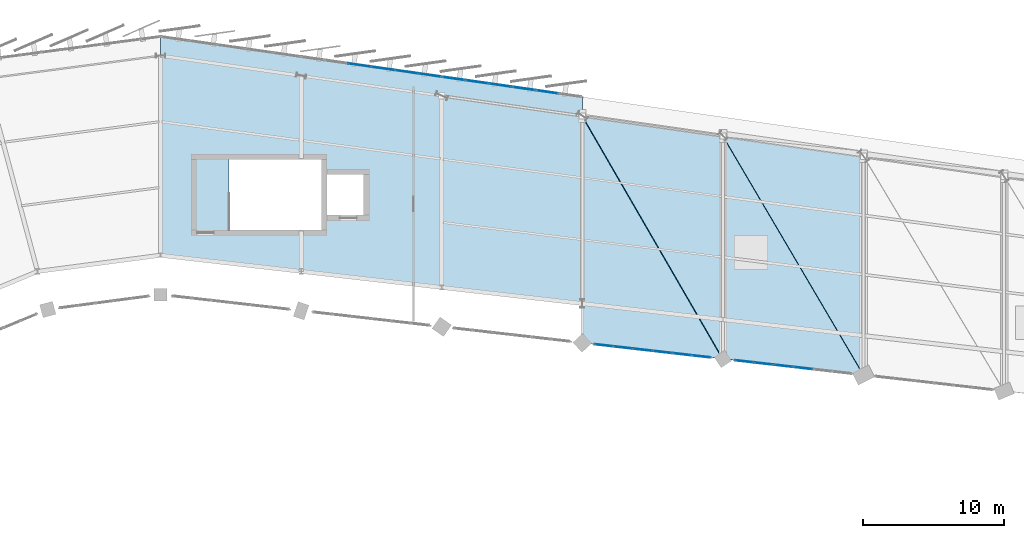
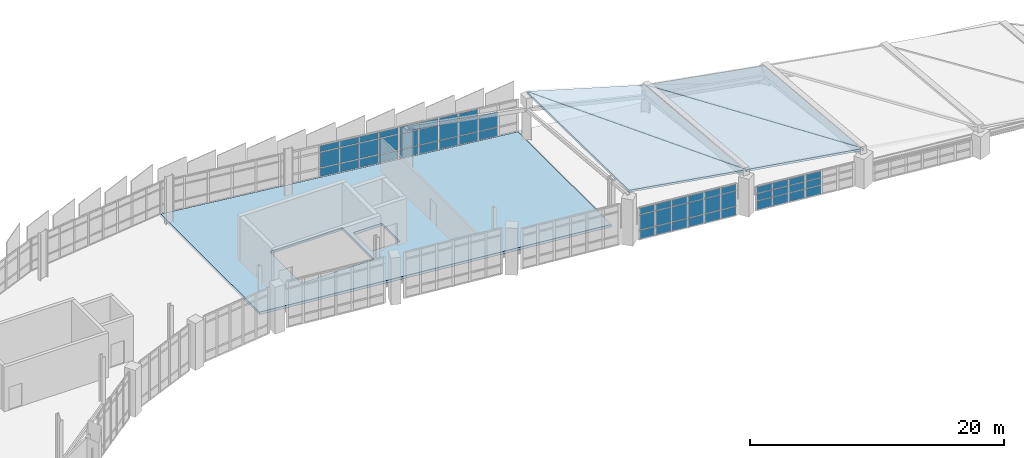
# One storey, part 58 of 67: 56 plates, 5 slabs, 4 elements without a shape of their own.
"""IFC4 building model written with IfcOpenShell, lengths in metres."""

from ifc_helpers import new_model, si_unit, direction, frame, origin, origin_2d, place, context, subcontext, project, spatial, polyline, rectangle, outline, extrude, material, layer, layer_set, type_object, element, aggregate, save


model = new_model("IFC4")

# Units and contexts
model_context = context("Model", 3, precision=1e-05, world=origin(), true_north=direction((0.0, 1.0)))
body_context = subcontext(model_context, "Body", "Model", "MODEL_VIEW")
ifc_project = project(units=[si_unit("LENGTHUNIT", "METRE"), si_unit("AREAUNIT", "SQUARE_METRE"), si_unit("VOLUMEUNIT", "CUBIC_METRE"), si_unit("PLANEANGLEUNIT", "RADIAN"), si_unit("MASSUNIT", "GRAM", prefix="KILO")], contexts=[model_context])

# Site, building, storey
site_placement = place(None, origin())
site = spatial("IfcSite", under=ifc_project, at=site_placement, CompositionType="ELEMENT")
building_placement = place(site_placement, origin())
building = spatial("IfcBuilding", under=site, at=building_placement, Name="Sohan Crest Arena", CompositionType="ELEMENT")
storey_placement = place(building_placement, frame((0.0, 0.0, 22.5)))
storey = spatial("IfcBuildingStorey", under=building, at=storey_placement, Name="L05", CompositionType="ELEMENT", Elevation=22.5)

# Curtain wall, plates
ifc_material_1 = material(Name="Thermally broken anodised aluminium", Category="aluminium")
ifc_layer_1 = layer(ifc_material_1, 0.219970703125, Name="Thermally broken anodised aluminium")
ifc_layer_set_1 = layer_set([ifc_layer_1], Name="Thermally broken anodised aluminium")
curtain_wall_type_1 = type_object("IfcCurtainWallType", Name="ARC-CW03", PredefinedType="NOTDEFINED", material=ifc_layer_set_1)
curtain_wall_1_placement = place(storey_placement, origin())
curtain_wall_1 = element("IfcCurtainWall", 1, at=curtain_wall_1_placement, inside=storey, type_object=curtain_wall_type_1, Name="Unitised curtain wall CW-162", PredefinedType="NOTDEFINED")
ifc_material_2 = material(Name="Low-E double-glazed insulated glass", Category="glass")
ifc_layer_2 = layer(ifc_material_2, 0.028076171875, Name="Low-E double-glazed insulated glass")
ifc_layer_set_2 = layer_set([ifc_layer_2], Name="Low-E double-glazed insulated glass")
plate_type_1 = type_object("IfcPlateType", Name="ARC-CNP01", PredefinedType="CURTAIN_PANEL", material=ifc_layer_set_2)
plate_1_placement = place(storey_placement, frame((117.15185546875, 124.614013671875, 0.070068359375), z_axis=(0.0, 0.0, 1.0), x_axis=(-0.989957411768, 0.141365918403, 0.0)))
plate_1 = element("IfcPlate", 2, at=plate_1_placement, type_object=plate_type_1, Name="CW-162 panel 1.1", PredefinedType="CURTAIN_PANEL", context=body_context, shape_type="SweptSolid", body=[
    extrude(rectangle(XDim=1.593505859375, YDim=0.028076171875, at=origin_2d()), origin(), (0.0, 0.0, 1.0), 0.794921875),
])
plate_2_placement = place(storey_placement, frame((117.15185546875, 124.614013671875, 0.93505859375), z_axis=(0.0, 0.0, 1.0), x_axis=(-0.989957411768, 0.141365918403, 0.0)))
plate_2 = element("IfcPlate", 3, at=plate_2_placement, type_object=plate_type_1, Name="CW-162 panel 1.2", PredefinedType="CURTAIN_PANEL", context=body_context, shape_type="SweptSolid", body=[
    extrude(rectangle(XDim=1.593505859375, YDim=0.028076171875, at=origin_2d()), origin(), (0.0, 0.0, 1.0), 1.449951171875),
])
plate_3_placement = place(storey_placement, frame((117.15185546875, 124.614013671875, 2.455078125), z_axis=(0.0, 0.0, 1.0), x_axis=(-0.989957411768, 0.141365918403, 0.0)))
plate_3 = element("IfcPlate", 4, at=plate_3_placement, type_object=plate_type_1, Name="CW-162 panel 1.3", PredefinedType="CURTAIN_PANEL", context=body_context, shape_type="SweptSolid", body=[
    extrude(rectangle(XDim=1.593505859375, YDim=0.028076171875, at=origin_2d()), origin(), (0.0, 0.0, 1.0), 0.594970703125),
])
plate_4_placement = place(storey_placement, frame((115.5, 124.85009765625, 0.070068359375), z_axis=(0.0, 0.0, 1.0), x_axis=(-0.989957411768, 0.141365918403, 0.0)))
plate_4 = element("IfcPlate", 5, at=plate_4_placement, type_object=plate_type_1, Name="CW-162 panel 2.1", PredefinedType="CURTAIN_PANEL", context=body_context, shape_type="SweptSolid", body=[
    extrude(rectangle(XDim=1.62353515625, YDim=0.028076171875, at=origin_2d()), origin(), (0.0, 0.0, 1.0), 0.794921875),
])
plate_5_placement = place(storey_placement, frame((115.5, 124.85009765625, 0.93505859375), z_axis=(0.0, 0.0, 1.0), x_axis=(-0.989957411768, 0.141365918403, 0.0)))
plate_5 = element("IfcPlate", 6, at=plate_5_placement, type_object=plate_type_1, Name="CW-162 panel 2.2", PredefinedType="CURTAIN_PANEL", context=body_context, shape_type="SweptSolid", body=[
    extrude(rectangle(XDim=1.62353515625, YDim=0.028076171875, at=origin_2d()), origin(), (0.0, 0.0, 1.0), 1.449951171875),
])
plate_6_placement = place(storey_placement, frame((115.5, 124.85009765625, 2.455078125), z_axis=(0.0, 0.0, 1.0), x_axis=(-0.989957411768, 0.141365918403, 0.0)))
plate_6 = element("IfcPlate", 7, at=plate_6_placement, type_object=plate_type_1, Name="CW-162 panel 2.3", PredefinedType="CURTAIN_PANEL", context=body_context, shape_type="SweptSolid", body=[
    extrude(rectangle(XDim=1.62353515625, YDim=0.028076171875, at=origin_2d()), origin(), (0.0, 0.0, 1.0), 0.594970703125),
])
plate_7_placement = place(storey_placement, frame((113.833251953125, 125.087890625, 0.070068359375), z_axis=(0.0, 0.0, 1.0), x_axis=(-0.989957411768, 0.141365918403, 0.0)))
plate_7 = element("IfcPlate", 8, at=plate_7_placement, type_object=plate_type_1, Name="CW-162 panel 3.1", PredefinedType="CURTAIN_PANEL", context=body_context, shape_type="SweptSolid", body=[
    extrude(rectangle(XDim=1.62353515625, YDim=0.028076171875, at=origin_2d()), origin(), (0.0, 0.0, 1.0), 0.794921875),
])
plate_8_placement = place(storey_placement, frame((113.833251953125, 125.087890625, 0.93505859375), z_axis=(0.0, 0.0, 1.0), x_axis=(-0.989957411768, 0.141365918403, 0.0)))
plate_8 = element("IfcPlate", 9, at=plate_8_placement, type_object=plate_type_1, Name="CW-162 panel 3.2", PredefinedType="CURTAIN_PANEL", context=body_context, shape_type="SweptSolid", body=[
    extrude(rectangle(XDim=1.62353515625, YDim=0.028076171875, at=origin_2d()), origin(), (0.0, 0.0, 1.0), 1.449951171875),
])
plate_9_placement = place(storey_placement, frame((113.833251953125, 125.087890625, 2.455078125), z_axis=(0.0, 0.0, 1.0), x_axis=(-0.989957411768, 0.141365918403, 0.0)))
plate_9 = element("IfcPlate", 10, at=plate_9_placement, type_object=plate_type_1, Name="CW-162 panel 3.3", PredefinedType="CURTAIN_PANEL", context=body_context, shape_type="SweptSolid", body=[
    extrude(rectangle(XDim=1.62353515625, YDim=0.028076171875, at=origin_2d()), origin(), (0.0, 0.0, 1.0), 0.594970703125),
])
plate_10_placement = place(storey_placement, frame((112.166748046875, 125.325927734375, 0.070068359375), z_axis=(0.0, 0.0, 1.0), x_axis=(-0.989957411768, 0.141365918403, 0.0)))
plate_10 = element("IfcPlate", 11, at=plate_10_placement, type_object=plate_type_1, Name="CW-162 panel 4.1", PredefinedType="CURTAIN_PANEL", context=body_context, shape_type="SweptSolid", body=[
    extrude(rectangle(XDim=1.62353515625, YDim=0.028076171875, at=origin_2d()), origin(), (0.0, 0.0, 1.0), 0.794921875),
])
plate_11_placement = place(storey_placement, frame((112.166748046875, 125.325927734375, 0.93505859375), z_axis=(0.0, 0.0, 1.0), x_axis=(-0.989957411768, 0.141365918403, 0.0)))
plate_11 = element("IfcPlate", 12, at=plate_11_placement, type_object=plate_type_1, Name="CW-162 panel 4.2", PredefinedType="CURTAIN_PANEL", context=body_context, shape_type="SweptSolid", body=[
    extrude(rectangle(XDim=1.62353515625, YDim=0.028076171875, at=origin_2d()), origin(), (0.0, 0.0, 1.0), 1.449951171875),
])
plate_12_placement = place(storey_placement, frame((112.166748046875, 125.325927734375, 2.455078125), z_axis=(0.0, 0.0, 1.0), x_axis=(-0.989957411768, 0.141365918403, 0.0)))
plate_12 = element("IfcPlate", 13, at=plate_12_placement, type_object=plate_type_1, Name="CW-162 panel 4.3", PredefinedType="CURTAIN_PANEL", context=body_context, shape_type="SweptSolid", body=[
    extrude(rectangle(XDim=1.62353515625, YDim=0.028076171875, at=origin_2d()), origin(), (0.0, 0.0, 1.0), 0.594970703125),
])
aggregate(curtain_wall_1, [plate_1, plate_2, plate_3, plate_4, plate_5, plate_6, plate_7, plate_8, plate_9, plate_10, plate_11, plate_12])

ifc_layer_3 = layer(ifc_material_1, 0.18994140625, Name="Thermally broken anodised aluminium")
ifc_layer_set_3 = layer_set([ifc_layer_3], Name="Thermally broken anodised aluminium")
curtain_wall_type_2 = type_object("IfcCurtainWallType", Name="ARC-CW05", PredefinedType="NOTDEFINED", material=ifc_layer_set_3)
curtain_wall_2_placement = place(storey_placement, origin())
curtain_wall_2 = element("IfcCurtainWall", 14, at=curtain_wall_2_placement, inside=storey, type_object=curtain_wall_type_2, Name="Unitised curtain wall CW-196", PredefinedType="NOTDEFINED")
ifc_material_3 = material(Name="Ceramic-fritted solar-control insulated glass", Category="glass")
ifc_layer_4 = layer(ifc_material_3, 0.035888671875, Name="Ceramic-fritted solar-control insulated glass")
ifc_layer_set_4 = layer_set([ifc_layer_4], Name="Ceramic-fritted solar-control insulated glass")
plate_type_2 = type_object("IfcPlateType", Name="ARC-CNP03", PredefinedType="CURTAIN_PANEL", material=ifc_layer_set_4)
plate_13_placement = place(storey_placement, frame((143.697509765625, 103.77783203125, 0.06494140625), z_axis=(0.0, 0.0, 1.0), x_axis=(-0.993526932422, 0.11359680696, 0.0)))
plate_13 = element("IfcPlate", 15, at=plate_13_placement, type_object=plate_type_2, Name="CW-196 panel 3.1", PredefinedType="CURTAIN_PANEL", context=body_context, shape_type="SweptSolid", body=[
    extrude(rectangle(XDim=1.333984375, YDim=0.035888671875, at=origin_2d()), origin(), (0.0, 0.0, 1.0), 0.802490234375),
])
plate_14_placement = place(storey_placement, frame((143.697509765625, 103.77783203125, 0.9326171875), z_axis=(0.0, 0.0, 1.0), x_axis=(-0.993526932422, 0.11359680696, 0.0)))
plate_14 = element("IfcPlate", 16, at=plate_14_placement, type_object=plate_type_2, Name="CW-196 panel 3.2", PredefinedType="CURTAIN_PANEL", context=body_context, shape_type="SweptSolid", body=[
    extrude(rectangle(XDim=1.333984375, YDim=0.035888671875, at=origin_2d()), origin(), (0.0, 0.0, 1.0), 0.64794921875),
])
plate_15_placement = place(storey_placement, frame((143.697509765625, 103.77783203125, 1.6455078125), z_axis=(0.0, 0.0, 1.0), x_axis=(-0.993526932422, 0.11359680696, 0.0)))
plate_15 = element("IfcPlate", 17, at=plate_15_placement, type_object=plate_type_2, Name="CW-196 panel 3.3", PredefinedType="CURTAIN_PANEL", context=body_context, shape_type="SweptSolid", body=[
    extrude(rectangle(XDim=1.333984375, YDim=0.035888671875, at=origin_2d()), origin(), (0.0, 0.0, 1.0), 0.6025390625),
])
plate_16_placement = place(storey_placement, frame((142.302490234375, 103.937255859375, 0.06494140625), z_axis=(0.0, 0.0, 1.0), x_axis=(-0.993526932422, 0.11359680696, 0.0)))
plate_16 = element("IfcPlate", 18, at=plate_16_placement, type_object=plate_type_2, Name="CW-196 panel 4.1", PredefinedType="CURTAIN_PANEL", context=body_context, shape_type="SweptSolid", body=[
    extrude(rectangle(XDim=1.333984375, YDim=0.035888671875, at=origin_2d()), origin(), (0.0, 0.0, 1.0), 0.802490234375),
])
plate_17_placement = place(storey_placement, frame((142.302490234375, 103.937255859375, 0.9326171875), z_axis=(0.0, 0.0, 1.0), x_axis=(-0.993526932422, 0.11359680696, 0.0)))
plate_17 = element("IfcPlate", 19, at=plate_17_placement, type_object=plate_type_2, Name="CW-196 panel 4.2", PredefinedType="CURTAIN_PANEL", context=body_context, shape_type="SweptSolid", body=[
    extrude(rectangle(XDim=1.333984375, YDim=0.035888671875, at=origin_2d()), origin(), (0.0, 0.0, 1.0), 0.64794921875),
])
plate_18_placement = place(storey_placement, frame((142.302490234375, 103.937255859375, 1.6455078125), z_axis=(0.0, 0.0, 1.0), x_axis=(-0.993526932422, 0.11359680696, 0.0)))
plate_18 = element("IfcPlate", 20, at=plate_18_placement, type_object=plate_type_2, Name="CW-196 panel 4.3", PredefinedType="CURTAIN_PANEL", context=body_context, shape_type="SweptSolid", body=[
    extrude(rectangle(XDim=1.333984375, YDim=0.035888671875, at=origin_2d()), origin(), (0.0, 0.0, 1.0), 0.6025390625),
])
plate_19_placement = place(storey_placement, frame((140.907470703125, 104.0966796875, 0.06494140625), z_axis=(0.0, 0.0, 1.0), x_axis=(-0.993526932422, 0.11359680696, 0.0)))
plate_19 = element("IfcPlate", 21, at=plate_19_placement, type_object=plate_type_2, Name="CW-196 panel 5.1", PredefinedType="CURTAIN_PANEL", context=body_context, shape_type="SweptSolid", body=[
    extrude(rectangle(XDim=1.333984375, YDim=0.035888671875, at=origin_2d()), origin(), (0.0, 0.0, 1.0), 0.802490234375),
])
plate_20_placement = place(storey_placement, frame((140.907470703125, 104.0966796875, 0.9326171875), z_axis=(0.0, 0.0, 1.0), x_axis=(-0.993526932422, 0.11359680696, 0.0)))
plate_20 = element("IfcPlate", 22, at=plate_20_placement, type_object=plate_type_2, Name="CW-196 panel 5.2", PredefinedType="CURTAIN_PANEL", context=body_context, shape_type="SweptSolid", body=[
    extrude(rectangle(XDim=1.333984375, YDim=0.035888671875, at=origin_2d()), origin(), (0.0, 0.0, 1.0), 0.64794921875),
])
plate_21_placement = place(storey_placement, frame((140.907470703125, 104.0966796875, 1.6455078125), z_axis=(0.0, 0.0, 1.0), x_axis=(-0.993526932422, 0.11359680696, 0.0)))
plate_21 = element("IfcPlate", 23, at=plate_21_placement, type_object=plate_type_2, Name="CW-196 panel 5.3", PredefinedType="CURTAIN_PANEL", context=body_context, shape_type="SweptSolid", body=[
    extrude(rectangle(XDim=1.333984375, YDim=0.035888671875, at=origin_2d()), origin(), (0.0, 0.0, 1.0), 0.6025390625),
])
plate_22_placement = place(storey_placement, frame((139.52978515625, 104.254150390625, 0.06494140625), z_axis=(0.0, 0.0, 1.0), x_axis=(-0.993526932422, 0.11359680696, 0.0)))
plate_22 = element("IfcPlate", 24, at=plate_22_placement, type_object=plate_type_2, Name="CW-196 panel 6.1", PredefinedType="CURTAIN_PANEL", context=body_context, shape_type="SweptSolid", body=[
    extrude(rectangle(XDim=1.299072265625, YDim=0.035888671875, at=origin_2d()), origin(), (0.0, 0.0, 1.0), 0.802490234375),
])
plate_23_placement = place(storey_placement, frame((139.52978515625, 104.254150390625, 0.9326171875), z_axis=(0.0, 0.0, 1.0), x_axis=(-0.993526932422, 0.11359680696, 0.0)))
plate_23 = element("IfcPlate", 25, at=plate_23_placement, type_object=plate_type_2, Name="CW-196 panel 6.2", PredefinedType="CURTAIN_PANEL", context=body_context, shape_type="SweptSolid", body=[
    extrude(rectangle(XDim=1.299072265625, YDim=0.035888671875, at=origin_2d()), origin(), (0.0, 0.0, 1.0), 0.64794921875),
])
plate_24_placement = place(storey_placement, frame((139.52978515625, 104.254150390625, 1.6455078125), z_axis=(0.0, 0.0, 1.0), x_axis=(-0.993526932422, 0.11359680696, 0.0)))
plate_24 = element("IfcPlate", 26, at=plate_24_placement, type_object=plate_type_2, Name="CW-196 panel 6.3", PredefinedType="CURTAIN_PANEL", context=body_context, shape_type="SweptSolid", body=[
    extrude(rectangle(XDim=1.299072265625, YDim=0.035888671875, at=origin_2d()), origin(), (0.0, 0.0, 1.0), 0.6025390625),
])
aggregate(curtain_wall_2, [plate_13, plate_14, plate_15, plate_16, plate_17, plate_18, plate_19, plate_20, plate_21, plate_22, plate_23, plate_24])

curtain_wall_3_placement = place(storey_placement, origin())
curtain_wall_3 = element("IfcCurtainWall", 27, at=curtain_wall_3_placement, inside=storey, type_object=curtain_wall_type_2, Name="Unitised curtain wall CW-197", PredefinedType="NOTDEFINED")
plate_25_placement = place(storey_placement, frame((136.47021484375, 104.603759765625, 0.06494140625), z_axis=(0.0, 0.0, 1.0), x_axis=(-0.993540322458, 0.1134796354, 0.0)))
plate_25 = element("IfcPlate", 28, at=plate_25_placement, type_object=plate_type_2, Name="CW-197 panel 1.1", PredefinedType="CURTAIN_PANEL", context=body_context, shape_type="SweptSolid", body=[
    extrude(rectangle(XDim=1.299072265625, YDim=0.035888671875, at=origin_2d()), origin(), (0.0, 0.0, 1.0), 0.802490234375),
])
plate_26_placement = place(storey_placement, frame((136.47021484375, 104.603759765625, 0.9326171875), z_axis=(0.0, 0.0, 1.0), x_axis=(-0.993540322458, 0.1134796354, 0.0)))
plate_26 = element("IfcPlate", 29, at=plate_26_placement, type_object=plate_type_2, Name="CW-197 panel 1.2", PredefinedType="CURTAIN_PANEL", context=body_context, shape_type="SweptSolid", body=[
    extrude(rectangle(XDim=1.299072265625, YDim=0.035888671875, at=origin_2d()), origin(), (0.0, 0.0, 1.0), 1.419921875),
])
plate_27_placement = place(storey_placement, frame((136.47021484375, 104.603759765625, 2.41748046875), z_axis=(0.0, 0.0, 1.0), x_axis=(-0.993540322458, 0.1134796354, 0.0)))
plate_27 = element("IfcPlate", 30, at=plate_27_placement, type_object=plate_type_2, Name="CW-197 panel 1.3", PredefinedType="CURTAIN_PANEL", context=body_context, shape_type="SweptSolid", body=[
    extrude(rectangle(XDim=1.299072265625, YDim=0.035888671875, at=origin_2d()), origin(), (0.0, 0.0, 1.0), 0.6025390625),
])
plate_28_placement = place(storey_placement, frame((135.092529296875, 104.760986328125, 0.06494140625), z_axis=(0.0, 0.0, 1.0), x_axis=(-0.993540322458, 0.1134796354, 0.0)))
plate_28 = element("IfcPlate", 31, at=plate_28_placement, type_object=plate_type_2, Name="CW-197 panel 2.1", PredefinedType="CURTAIN_PANEL", context=body_context, shape_type="SweptSolid", body=[
    extrude(rectangle(XDim=1.333984375, YDim=0.035888671875, at=origin_2d()), origin(), (0.0, 0.0, 1.0), 0.802490234375),
])
plate_29_placement = place(storey_placement, frame((135.092529296875, 104.760986328125, 0.9326171875), z_axis=(0.0, 0.0, 1.0), x_axis=(-0.993540322458, 0.1134796354, 0.0)))
plate_29 = element("IfcPlate", 32, at=plate_29_placement, type_object=plate_type_2, Name="CW-197 panel 2.2", PredefinedType="CURTAIN_PANEL", context=body_context, shape_type="SweptSolid", body=[
    extrude(rectangle(XDim=1.333984375, YDim=0.035888671875, at=origin_2d()), origin(), (0.0, 0.0, 1.0), 1.419921875),
])
plate_30_placement = place(storey_placement, frame((135.092529296875, 104.760986328125, 2.41748046875), z_axis=(0.0, 0.0, 1.0), x_axis=(-0.993540322458, 0.1134796354, 0.0)))
plate_30 = element("IfcPlate", 33, at=plate_30_placement, type_object=plate_type_2, Name="CW-197 panel 2.3", PredefinedType="CURTAIN_PANEL", context=body_context, shape_type="SweptSolid", body=[
    extrude(rectangle(XDim=1.333984375, YDim=0.035888671875, at=origin_2d()), origin(), (0.0, 0.0, 1.0), 0.6025390625),
])
plate_31_placement = place(storey_placement, frame((133.697509765625, 104.92041015625, 0.06494140625), z_axis=(0.0, 0.0, 1.0), x_axis=(-0.993540322458, 0.1134796354, 0.0)))
plate_31 = element("IfcPlate", 34, at=plate_31_placement, type_object=plate_type_2, Name="CW-197 panel 3.1", PredefinedType="CURTAIN_PANEL", context=body_context, shape_type="SweptSolid", body=[
    extrude(rectangle(XDim=1.333984375, YDim=0.035888671875, at=origin_2d()), origin(), (0.0, 0.0, 1.0), 0.802490234375),
])
plate_32_placement = place(storey_placement, frame((133.697509765625, 104.92041015625, 0.9326171875), z_axis=(0.0, 0.0, 1.0), x_axis=(-0.993540322458, 0.1134796354, 0.0)))
plate_32 = element("IfcPlate", 35, at=plate_32_placement, type_object=plate_type_2, Name="CW-197 panel 3.2", PredefinedType="CURTAIN_PANEL", context=body_context, shape_type="SweptSolid", body=[
    extrude(rectangle(XDim=1.333984375, YDim=0.035888671875, at=origin_2d()), origin(), (0.0, 0.0, 1.0), 1.419921875),
])
plate_33_placement = place(storey_placement, frame((133.697509765625, 104.92041015625, 2.41748046875), z_axis=(0.0, 0.0, 1.0), x_axis=(-0.993540322458, 0.1134796354, 0.0)))
plate_33 = element("IfcPlate", 36, at=plate_33_placement, type_object=plate_type_2, Name="CW-197 panel 3.3", PredefinedType="CURTAIN_PANEL", context=body_context, shape_type="SweptSolid", body=[
    extrude(rectangle(XDim=1.333984375, YDim=0.035888671875, at=origin_2d()), origin(), (0.0, 0.0, 1.0), 0.6025390625),
])
plate_34_placement = place(storey_placement, frame((132.302490234375, 105.07958984375, 0.06494140625), z_axis=(0.0, 0.0, 1.0), x_axis=(-0.993540322458, 0.1134796354, 0.0)))
plate_34 = element("IfcPlate", 37, at=plate_34_placement, type_object=plate_type_2, Name="CW-197 panel 4.1", PredefinedType="CURTAIN_PANEL", context=body_context, shape_type="SweptSolid", body=[
    extrude(rectangle(XDim=1.333984375, YDim=0.035888671875, at=origin_2d()), origin(), (0.0, 0.0, 1.0), 0.802490234375),
])
plate_35_placement = place(storey_placement, frame((132.302490234375, 105.07958984375, 0.9326171875), z_axis=(0.0, 0.0, 1.0), x_axis=(-0.993540322458, 0.1134796354, 0.0)))
plate_35 = element("IfcPlate", 38, at=plate_35_placement, type_object=plate_type_2, Name="CW-197 panel 4.2", PredefinedType="CURTAIN_PANEL", context=body_context, shape_type="SweptSolid", body=[
    extrude(rectangle(XDim=1.333984375, YDim=0.035888671875, at=origin_2d()), origin(), (0.0, 0.0, 1.0), 1.419921875),
])
plate_36_placement = place(storey_placement, frame((132.302490234375, 105.07958984375, 2.41748046875), z_axis=(0.0, 0.0, 1.0), x_axis=(-0.993540322458, 0.1134796354, 0.0)))
plate_36 = element("IfcPlate", 39, at=plate_36_placement, type_object=plate_type_2, Name="CW-197 panel 4.3", PredefinedType="CURTAIN_PANEL", context=body_context, shape_type="SweptSolid", body=[
    extrude(rectangle(XDim=1.333984375, YDim=0.035888671875, at=origin_2d()), origin(), (0.0, 0.0, 1.0), 0.6025390625),
])
plate_37_placement = place(storey_placement, frame((130.907470703125, 105.239013671875, 0.06494140625), z_axis=(0.0, 0.0, 1.0), x_axis=(-0.993540322458, 0.1134796354, 0.0)))
plate_37 = element("IfcPlate", 40, at=plate_37_placement, type_object=plate_type_2, Name="CW-197 panel 5.1", PredefinedType="CURTAIN_PANEL", context=body_context, shape_type="SweptSolid", body=[
    extrude(rectangle(XDim=1.333984375, YDim=0.035888671875, at=origin_2d()), origin(), (0.0, 0.0, 1.0), 0.802490234375),
])
plate_38_placement = place(storey_placement, frame((130.907470703125, 105.239013671875, 0.9326171875), z_axis=(0.0, 0.0, 1.0), x_axis=(-0.993540322458, 0.1134796354, 0.0)))
plate_38 = element("IfcPlate", 41, at=plate_38_placement, type_object=plate_type_2, Name="CW-197 panel 5.2", PredefinedType="CURTAIN_PANEL", context=body_context, shape_type="SweptSolid", body=[
    extrude(rectangle(XDim=1.333984375, YDim=0.035888671875, at=origin_2d()), origin(), (0.0, 0.0, 1.0), 1.419921875),
])
plate_39_placement = place(storey_placement, frame((130.907470703125, 105.239013671875, 2.41748046875), z_axis=(0.0, 0.0, 1.0), x_axis=(-0.993540322458, 0.1134796354, 0.0)))
plate_39 = element("IfcPlate", 42, at=plate_39_placement, type_object=plate_type_2, Name="CW-197 panel 5.3", PredefinedType="CURTAIN_PANEL", context=body_context, shape_type="SweptSolid", body=[
    extrude(rectangle(XDim=1.333984375, YDim=0.035888671875, at=origin_2d()), origin(), (0.0, 0.0, 1.0), 0.6025390625),
])
plate_40_placement = place(storey_placement, frame((129.52978515625, 105.396240234375, 0.06494140625), z_axis=(0.0, 0.0, 1.0), x_axis=(-0.993540322458, 0.1134796354, 0.0)))
plate_40 = element("IfcPlate", 43, at=plate_40_placement, type_object=plate_type_2, Name="CW-197 panel 6.1", PredefinedType="CURTAIN_PANEL", context=body_context, shape_type="SweptSolid", body=[
    extrude(rectangle(XDim=1.299072265625, YDim=0.035888671875, at=origin_2d()), origin(), (0.0, 0.0, 1.0), 0.802490234375),
])
plate_41_placement = place(storey_placement, frame((129.52978515625, 105.396240234375, 0.9326171875), z_axis=(0.0, 0.0, 1.0), x_axis=(-0.993540322458, 0.1134796354, 0.0)))
plate_41 = element("IfcPlate", 44, at=plate_41_placement, type_object=plate_type_2, Name="CW-197 panel 6.2", PredefinedType="CURTAIN_PANEL", context=body_context, shape_type="SweptSolid", body=[
    extrude(rectangle(XDim=1.299072265625, YDim=0.035888671875, at=origin_2d()), origin(), (0.0, 0.0, 1.0), 1.419921875),
])
plate_42_placement = place(storey_placement, frame((129.52978515625, 105.396240234375, 2.41748046875), z_axis=(0.0, 0.0, 1.0), x_axis=(-0.993540322458, 0.1134796354, 0.0)))
plate_42 = element("IfcPlate", 45, at=plate_42_placement, type_object=plate_type_2, Name="CW-197 panel 6.3", PredefinedType="CURTAIN_PANEL", context=body_context, shape_type="SweptSolid", body=[
    extrude(rectangle(XDim=1.299072265625, YDim=0.035888671875, at=origin_2d()), origin(), (0.0, 0.0, 1.0), 0.6025390625),
])
aggregate(curtain_wall_3, [plate_25, plate_26, plate_27, plate_28, plate_29, plate_30, plate_31, plate_32, plate_33, plate_34, plate_35, plate_36, plate_37, plate_38, plate_39, plate_40, plate_41, plate_42])

ifc_layer_5 = layer(ifc_material_1, 0.199951171875, Name="Thermally broken anodised aluminium")
ifc_layer_set_5 = layer_set([ifc_layer_5], Name="Thermally broken anodised aluminium")
curtain_wall_type_3 = type_object("IfcCurtainWallType", Name="ARC-CW02", PredefinedType="NOTDEFINED", material=ifc_layer_set_5)
curtain_wall_4_placement = place(storey_placement, origin())
curtain_wall_4 = element("IfcCurtainWall", 46, at=curtain_wall_4_placement, inside=storey, type_object=curtain_wall_type_3, Name="Unitised curtain wall CW-161", PredefinedType="NOTDEFINED")
ifc_material_4 = material(Name="Insulated polychrome ceramic spandrel panel", Category="masonry")
ifc_layer_6 = layer(ifc_material_4, 0.0419921875, Name="Insulated polychrome ceramic spandrel panel")
ifc_layer_set_6 = layer_set([ifc_layer_6], Name="Insulated polychrome ceramic spandrel panel")
plate_type_3 = type_object("IfcPlateType", Name="ARC-CNP04", PredefinedType="CURTAIN_PANEL", material=ifc_layer_set_6)
plate_43_placement = place(storey_placement, frame((125.5, 123.421142578125, 0.06494140625), z_axis=(0.0, 0.0, 1.0), x_axis=(-0.989943553128, 0.141462933734, 0.0)))
plate_43 = element("IfcPlate", 47, at=plate_43_placement, type_object=plate_type_3, Name="CW-161 panel 2.1", PredefinedType="CURTAIN_PANEL", context=body_context, shape_type="SweptSolid", body=[
    extrude(rectangle(XDim=1.608642578125, YDim=0.0419921875, at=origin_2d()), origin(), (0.0, 0.0, 1.0), 0.802490234375),
])
plate_44_placement = place(storey_placement, frame((125.5, 123.421142578125, 0.932373046875), z_axis=(0.0, 0.0, 1.0), x_axis=(-0.989943553128, 0.141462933734, 0.0)))
plate_44 = element("IfcPlate", 48, at=plate_44_placement, type_object=plate_type_3, Name="CW-161 panel 2.2", PredefinedType="CURTAIN_PANEL", context=body_context, shape_type="SweptSolid", body=[
    extrude(rectangle(XDim=1.608642578125, YDim=0.0419921875, at=origin_2d()), origin(), (0.0, 0.0, 1.0), 1.455078125),
])
plate_45_placement = place(storey_placement, frame((123.833251953125, 123.659423828125, 0.06494140625), z_axis=(0.0, 0.0, 1.0), x_axis=(-0.989943553128, 0.141462933734, 0.0)))
plate_45 = element("IfcPlate", 49, at=plate_45_placement, type_object=plate_type_3, Name="CW-161 panel 3.1", PredefinedType="CURTAIN_PANEL", context=body_context, shape_type="SweptSolid", body=[
    extrude(rectangle(XDim=1.608642578125, YDim=0.0419921875, at=origin_2d()), origin(), (0.0, 0.0, 1.0), 0.802490234375),
])
plate_46_placement = place(storey_placement, frame((123.833251953125, 123.659423828125, 0.932373046875), z_axis=(0.0, 0.0, 1.0), x_axis=(-0.989943553128, 0.141462933734, 0.0)))
plate_46 = element("IfcPlate", 50, at=plate_46_placement, type_object=plate_type_3, Name="CW-161 panel 3.2", PredefinedType="CURTAIN_PANEL", context=body_context, shape_type="SweptSolid", body=[
    extrude(rectangle(XDim=1.608642578125, YDim=0.0419921875, at=origin_2d()), origin(), (0.0, 0.0, 1.0), 1.455078125),
])
plate_47_placement = place(storey_placement, frame((123.833251953125, 123.659423828125, 2.452392578125), z_axis=(0.0, 0.0, 1.0), x_axis=(-0.989943553128, 0.141462933734, 0.0)))
plate_47 = element("IfcPlate", 51, at=plate_47_placement, type_object=plate_type_3, Name="CW-161 panel 3.3", PredefinedType="CURTAIN_PANEL", context=body_context, shape_type="SweptSolid", body=[
    extrude(rectangle(XDim=1.608642578125, YDim=0.0419921875, at=origin_2d()), origin(), (0.0, 0.0, 1.0), 0.6025390625),
])
plate_48_placement = place(storey_placement, frame((122.166748046875, 123.897705078125, 0.06494140625), z_axis=(0.0, 0.0, 1.0), x_axis=(-0.989943553128, 0.141462933734, 0.0)))
plate_48 = element("IfcPlate", 52, at=plate_48_placement, type_object=plate_type_3, Name="CW-161 panel 4.1", PredefinedType="CURTAIN_PANEL", context=body_context, shape_type="SweptSolid", body=[
    extrude(rectangle(XDim=1.608642578125, YDim=0.0419921875, at=origin_2d()), origin(), (0.0, 0.0, 1.0), 0.802490234375),
])
plate_49_placement = place(storey_placement, frame((122.166748046875, 123.897705078125, 0.932373046875), z_axis=(0.0, 0.0, 1.0), x_axis=(-0.989943553128, 0.141462933734, 0.0)))
plate_49 = element("IfcPlate", 53, at=plate_49_placement, type_object=plate_type_3, Name="CW-161 panel 4.2", PredefinedType="CURTAIN_PANEL", context=body_context, shape_type="SweptSolid", body=[
    extrude(rectangle(XDim=1.608642578125, YDim=0.0419921875, at=origin_2d()), origin(), (0.0, 0.0, 1.0), 1.455078125),
])
plate_50_placement = place(storey_placement, frame((122.166748046875, 123.897705078125, 2.452392578125), z_axis=(0.0, 0.0, 1.0), x_axis=(-0.989943553128, 0.141462933734, 0.0)))
plate_50 = element("IfcPlate", 54, at=plate_50_placement, type_object=plate_type_3, Name="CW-161 panel 4.3", PredefinedType="CURTAIN_PANEL", context=body_context, shape_type="SweptSolid", body=[
    extrude(rectangle(XDim=1.608642578125, YDim=0.0419921875, at=origin_2d()), origin(), (0.0, 0.0, 1.0), 0.6025390625),
])
plate_51_placement = place(storey_placement, frame((120.5, 124.1357421875, 0.06494140625), z_axis=(0.0, 0.0, 1.0), x_axis=(-0.989943553128, 0.141462933734, 0.0)))
plate_51 = element("IfcPlate", 55, at=plate_51_placement, type_object=plate_type_3, Name="CW-161 panel 5.1", PredefinedType="CURTAIN_PANEL", context=body_context, shape_type="SweptSolid", body=[
    extrude(rectangle(XDim=1.608642578125, YDim=0.0419921875, at=origin_2d()), origin(), (0.0, 0.0, 1.0), 0.802490234375),
])
plate_52_placement = place(storey_placement, frame((120.5, 124.1357421875, 0.932373046875), z_axis=(0.0, 0.0, 1.0), x_axis=(-0.989943553128, 0.141462933734, 0.0)))
plate_52 = element("IfcPlate", 56, at=plate_52_placement, type_object=plate_type_3, Name="CW-161 panel 5.2", PredefinedType="CURTAIN_PANEL", context=body_context, shape_type="SweptSolid", body=[
    extrude(rectangle(XDim=1.608642578125, YDim=0.0419921875, at=origin_2d()), origin(), (0.0, 0.0, 1.0), 1.455078125),
])
plate_53_placement = place(storey_placement, frame((120.5, 124.1357421875, 2.452392578125), z_axis=(0.0, 0.0, 1.0), x_axis=(-0.989943553128, 0.141462933734, 0.0)))
plate_53 = element("IfcPlate", 57, at=plate_53_placement, type_object=plate_type_3, Name="CW-161 panel 5.3", PredefinedType="CURTAIN_PANEL", context=body_context, shape_type="SweptSolid", body=[
    extrude(rectangle(XDim=1.608642578125, YDim=0.0419921875, at=origin_2d()), origin(), (0.0, 0.0, 1.0), 0.6025390625),
])
plate_54_placement = place(storey_placement, frame((118.851806640625, 124.371337890625, 0.06494140625), z_axis=(0.0, 0.0, 1.0), x_axis=(-0.989943553128, 0.141462933734, 0.0)))
plate_54 = element("IfcPlate", 58, at=plate_54_placement, type_object=plate_type_3, Name="CW-161 panel 6.1", PredefinedType="CURTAIN_PANEL", context=body_context, shape_type="SweptSolid", body=[
    extrude(rectangle(XDim=1.571044921875, YDim=0.0419921875, at=origin_2d()), origin(), (0.0, 0.0, 1.0), 0.802490234375),
])
plate_55_placement = place(storey_placement, frame((118.851806640625, 124.371337890625, 0.932373046875), z_axis=(0.0, 0.0, 1.0), x_axis=(-0.989943553128, 0.141462933734, 0.0)))
plate_55 = element("IfcPlate", 59, at=plate_55_placement, type_object=plate_type_3, Name="CW-161 panel 6.2", PredefinedType="CURTAIN_PANEL", context=body_context, shape_type="SweptSolid", body=[
    extrude(rectangle(XDim=1.571044921875, YDim=0.0419921875, at=origin_2d()), origin(), (0.0, 0.0, 1.0), 1.455078125),
])
plate_56_placement = place(storey_placement, frame((118.851806640625, 124.371337890625, 2.452392578125), z_axis=(0.0, 0.0, 1.0), x_axis=(-0.989943553128, 0.141462933734, 0.0)))
plate_56 = element("IfcPlate", 60, at=plate_56_placement, type_object=plate_type_3, Name="CW-161 panel 6.3", PredefinedType="CURTAIN_PANEL", context=body_context, shape_type="SweptSolid", body=[
    extrude(rectangle(XDim=1.571044921875, YDim=0.0419921875, at=origin_2d()), origin(), (0.0, 0.0, 1.0), 0.6025390625),
])
aggregate(curtain_wall_4, [plate_43, plate_44, plate_45, plate_46, plate_47, plate_48, plate_49, plate_50, plate_51, plate_52, plate_53, plate_54, plate_55, plate_56])

# Slabs
ifc_material_5 = material(Name="Concrete C40/50", Category="concrete")
ifc_layer_7 = layer(ifc_material_5, 0.25, Name="Concrete C40/50")
ifc_layer_set_7 = layer_set([ifc_layer_7], Name="Concrete C40/50")
slab_type_1 = type_object("IfcSlabType", Name="SL-FLR3", PredefinedType="FLOOR", material=ifc_layer_set_7)
slab_1_placement = place(storey_placement, frame((0.0, 0.0, -0.25)))
element("IfcSlab", 61, at=slab_1_placement, inside=storey, type_object=slab_type_1, Name="Concourse ring L05 sector 3 SL-L05-V2S3", PredefinedType="FLOOR", context=body_context, shape_type="SweptSolid", body=[
    extrude(outline(polyline([(98.0, 127.35009765625), (128.0, 123.06396484375), (128.0, 108.37109375), (98.0, 111.800048828125), (98.0, 127.35009765625)]), holes=[polyline([(102.8701171875, 113.60009765625), (109.449951171875, 113.60009765625), (109.449951171875, 118.60009765625), (102.8701171875, 118.60009765625), (102.8701171875, 113.60009765625)]), polyline([(109.85009765625, 117.550048828125), (109.85009765625, 114.64990234375), (112.449951171875, 114.64990234375), (112.449951171875, 117.550048828125), (109.85009765625, 117.550048828125)])]), origin(), (0.0, 0.0, 1.0), 0.25),
])
ifc_layer_8 = layer(ifc_material_5, 0.195068359375, Name="Concrete C40/50")
ifc_layer_set_8 = layer_set([ifc_layer_8], Name="Concrete C40/50")
slab_type_2 = type_object("IfcSlabType", Name="SL-RF02", PredefinedType="ROOF", material=ifc_layer_set_8)
slab_2_placement = place(storey_placement, frame((147.992919921875, 103.30810546875, 3.388916015625), z_axis=(0.08944514457, 0.092529783049, 0.991684327476), x_axis=(0.0, 0.995675242745, -0.092902158123)))
element("IfcSlab", 62, at=slab_2_placement, inside=storey, type_object=slab_type_2, Name="Sloped roof deck panel RF-SL-107", PredefinedType="ROOF", context=body_context, shape_type="SweptSolid", body=[
    extrude(outline(polyline([(0.0, 0.0), (15.607292674091612, 0.0), (16.955886549104946, 10.02014370954826), (0.0, 0.0)])), origin(), (0.0, 0.0, -1.0), 0.195068359375),
])
slab_3_placement = place(storey_placement, frame((147.987060546875, 103.298095703125, 3.388916015625), z_axis=(0.086645577808, 0.090899036073, 0.992083620008), x_axis=(-0.506718541755, 0.861414083458, -0.034671259878)))
element("IfcSlab", 63, at=slab_3_placement, inside=storey, type_object=slab_type_2, Name="Sloped roof deck panel RF-SL-108", PredefinedType="ROOF", context=body_context, shape_type="SweptSolid", body=[
    extrude(outline(polyline([(0.0, 0.0), (19.69531336704541, 9.575673587391975e-16), (6.013205923659987, 8.082782559286544), (0.0, 0.0)])), origin(), (0.0, 0.0, -1.0), 0.195068359375),
])
slab_4_placement = place(storey_placement, frame((137.992919921875, 104.450927734375, 4.156005859375), z_axis=(0.207954901006, 0.089247480997, 0.974058338234), x_axis=(0.0, 0.99582873259, -0.091242179652)))
element("IfcSlab", 64, at=slab_4_placement, inside=storey, type_object=slab_type_2, Name="Sloped roof deck panel RF-SL-109", PredefinedType="ROOF", context=body_context, shape_type="SweptSolid", body=[
    extrude(outline(polyline([(0.0, 0.0), (15.891237774102104, 0.0), (17.128830472186056, 10.203034984012744), (0.0, 0.0)])), origin(), (0.0, 0.0, -1.0), 0.195068359375),
])
slab_5_placement = place(storey_placement, frame((137.987060546875, 104.44091796875, 4.156005859375), z_axis=(0.083442033132, 0.016503090408, 0.996375970763), x_axis=(-0.500566526354, 0.865258348064, 0.027588834676)))
element("IfcSlab", 65, at=slab_5_placement, inside=storey, type_object=slab_type_2, Name="Sloped roof deck panel RF-SL-110", PredefinedType="ROOF", context=body_context, shape_type="SweptSolid", body=[
    extrude(outline(polyline([(0.0, 0.0), (19.937370845472017, -5.759281940243e-16), (6.0046941383265855, 8.093879593520404), (0.0, 0.0)])), origin(), (0.0, 0.0, -1.0), 0.195068359375),
])

save(model, "model.ifc")
